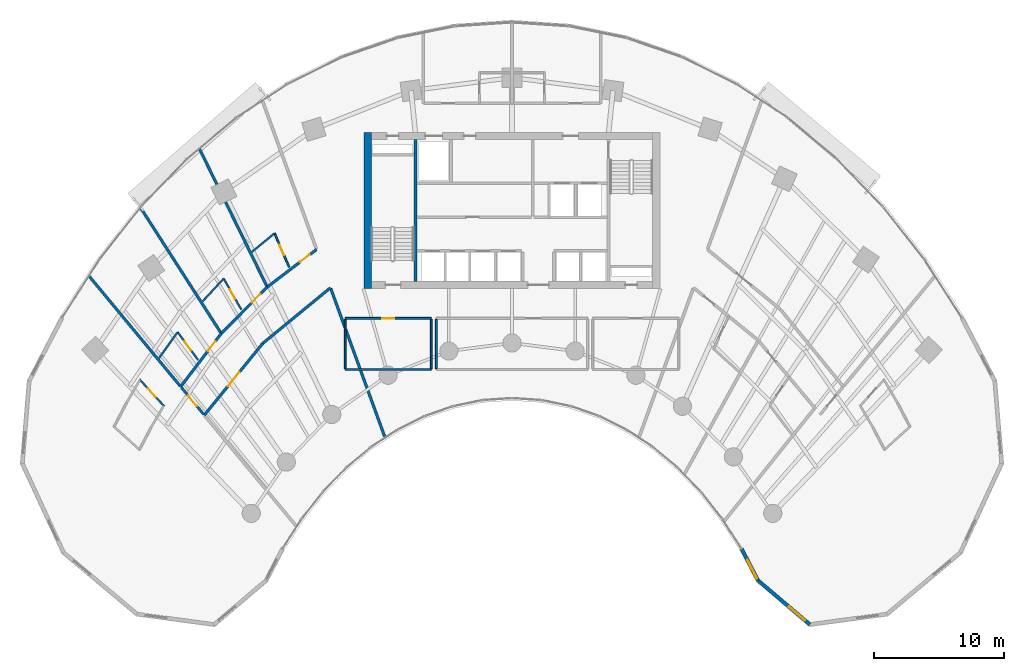
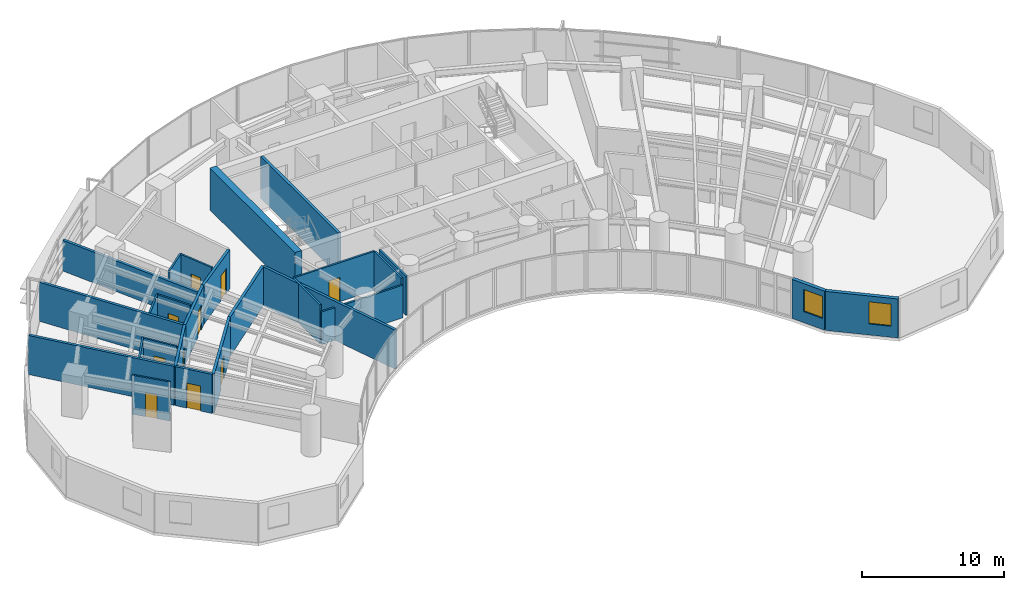
# One storey, part 11 of 17: 26 walls, 10 doors, 2 windows, 12 openings.
"""IFC4 building model written with IfcOpenShell, lengths in metres."""

from ifc_helpers import new_model, si_unit, direction, frame, frame_2d, origin, place, context, subcontext, project, spatial, rectangle, extrude, source, transform, mapped, material, layer, layer_set, type_object, type_shapes, element, fill, save


model = new_model("IFC4")

# Units and contexts
model_context = context("Model", 3, precision=1e-05, world=origin(), true_north=direction((0.0, 1.0)))
body_context = subcontext(model_context, "Body", "Model", "MODEL_VIEW")
ifc_project = project(units=[si_unit("LENGTHUNIT", "METRE"), si_unit("AREAUNIT", "SQUARE_METRE"), si_unit("VOLUMEUNIT", "CUBIC_METRE"), si_unit("PLANEANGLEUNIT", "RADIAN"), si_unit("MASSUNIT", "GRAM", prefix="KILO")], contexts=[model_context])

# Site, building, storey
site_placement = place(None, origin())
site = spatial("IfcSite", under=ifc_project, at=site_placement, CompositionType="ELEMENT")
building_placement = place(site_placement, origin())
building = spatial("IfcBuilding", under=site, at=building_placement, Name="Breltana Convention Tower", CompositionType="ELEMENT")
storey_placement = place(building_placement, frame((0.0, 0.0, 67.800048828125)))
storey = spatial("IfcBuildingStorey", under=building, at=storey_placement, Name="L15", CompositionType="ELEMENT", Elevation=67.800048828125)

# Walls
ifc_material_1 = material(Name="Concrete C60/75", Category="concrete")
ifc_layer_1 = layer(ifc_material_1, 0.550048828125, Name="Concrete C60/75")
ifc_layer_set_1 = layer_set([ifc_layer_1], Name="Concrete C60/75")
wall_type_1 = type_object("IfcWallType", Name="SW-CORE-550", PredefinedType="SHEAR", material=ifc_layer_set_1)
shared_shape_1 = source(origin(), body_context, "Body", "SweptSolid", [
    extrude(rectangle(XDim=12.0, YDim=0.550048828125, at=frame_2d((6.0, 0.0))), origin(), (0.0, 0.0, 1.0), 3.599853515625),
])
wall_1_placement = place(storey_placement, frame((36.925048828125, 60.199951171875, 0.0), z_axis=(0.0, 0.0, 1.0), x_axis=(0.0, 1.0, 0.0)))
element("IfcWall", 1, at=wall_1_placement, inside=storey, type_object=wall_type_1, Name="L15 West Core Shear Wall", PredefinedType="SHEAR", context=body_context, shape_type="MappedRepresentation", body=[
    mapped(shared_shape_1, transform((0.0, 0.0, 0.0), scale=1.0)),
])
ifc_material_2 = material(Name="Concrete C50/60", Category="concrete")
ifc_layer_2 = layer(ifc_material_2, 0.39990234375, Name="Concrete C50/60")
ifc_layer_set_2 = layer_set([ifc_layer_2], Name="Concrete C50/60")
wall_type_2 = type_object("IfcWallType", Name="SW-CORE-400", PredefinedType="SHEAR", material=ifc_layer_set_2)
shared_shape_2 = source(origin(), body_context, "Body", "SweptSolid", [
    extrude(rectangle(XDim=10.89990234375, YDim=0.219970703125, at=frame_2d((5.449951171875, 0.0))), origin(), (0.0, 0.0, 1.0), 3.599853515625),
])
wall_2_placement = place(storey_placement, frame((40.580078125, 60.75, 0.0), z_axis=(0.0, 0.0, 1.0), x_axis=(0.0, 1.0, 0.0)))
element("IfcWall", 2, at=wall_2_placement, inside=storey, type_object=wall_type_2, Name="L15 Core West Stair Spine Wall", PredefinedType="SHEAR", context=body_context, shape_type="MappedRepresentation", body=[
    mapped(shared_shape_2, transform((0.0, 0.0, 0.0), scale=1.0)),
])

# Wall, opening, window
ifc_material_3 = material(Name="Limestone Buff Insulated Wall", Category="masonry")
ifc_layer_3 = layer(ifc_material_3, 0.280029296875, Name="Limestone Buff Insulated Wall")
ifc_layer_set_3 = layer_set([ifc_layer_3], Name="Limestone Buff Insulated Wall")
wall_type_3 = type_object("IfcWallType", Name="WL-EXT-NOSE-280", PredefinedType="SOLIDWALL", material=ifc_layer_set_3)
shared_shape_3 = source(origin(), body_context, "Body", "SweptSolid", [
    extrude(rectangle(XDim=5.222412109375, YDim=0.280029296875, at=frame_2d((2.611328125, 0.0))), origin(), (0.0, 0.0, 1.0), 3.35986328125),
])
wall_3_placement = place(storey_placement, frame((70.8642578125, 34.4248046875, 0.0), z_axis=(0.0, 0.0, 1.0), x_axis=(-0.761900099546, 0.647694556339, 0.0)))
wall_3 = element("IfcWall", 3, at=wall_3_placement, inside=storey, type_object=wall_type_3, Name="L15 curved limestone nose wall E5", PredefinedType="SOLIDWALL", context=body_context, shape_type="MappedRepresentation", body=[
    mapped(shared_shape_3, transform((0.0, 0.0, 0.0), scale=1.0)),
])
opening_1_placement = place(wall_3_placement, frame((0.505615234375, 0.0, 0.949951171875)))
opening_1 = element("IfcOpeningElement", 4, at=opening_1_placement, cuts=wall_3, Name="Opening W-04", PredefinedType="OPENING", context=body_context, shape_type="SweptSolid", body=[
    extrude(rectangle(XDim=1.60009765625, YDim=1.89990234375, at=frame_2d((0.800048828125, 0.949951171875))), frame((0.0, 0.14990234375, 0.0), z_axis=(0.0, -1.0, 0.0), x_axis=(1.0, 0.0, 0.0)), (0.0, 0.0, 1.0), 0.300048828125),
])
ifc_material_4 = material(Name="Glass Low-E Insulated Window", Category="glass")
window_type = type_object("IfcWindowType", Name="WN-NOSE-1600X1900", PartitioningType="SINGLE_PANEL", PredefinedType="WINDOW", material=ifc_material_4)
shared_shape_4 = source(origin(), body_context, "Body", "SweptSolid", [
    extrude(rectangle(XDim=1.60009765625, YDim=1.89990234375, at=frame_2d((0.800048828125, 0.949951171875))), frame((0.0, 0.030029296875, 0.0), z_axis=(0.0, -1.0, 0.0), x_axis=(1.0, 0.0, 0.0)), (0.0, 0.0, 1.0), 0.06005859375),
])
type_shapes(window_type, [shared_shape_4])
window_1_placement = place(opening_1_placement, origin())
window_1 = element("IfcWindow", 5, at=window_1_placement, inside=storey, type_object=window_type, Name="L15 nose window E5", OverallHeight=1.89990234375, OverallWidth=1.60009765625, PartitioningType="SINGLE_PANEL", PredefinedType="WINDOW", context=body_context, shape_type="MappedRepresentation", body=[
    mapped(shared_shape_4, transform((0.0, 0.0, 0.0), scale=1.0)),
])
fill(opening_1, window_1)

shared_shape_5 = source(origin(), body_context, "Body", "SweptSolid", [
    extrude(rectangle(XDim=2.7353515625, YDim=0.280029296875, at=frame_2d((1.36767578125, 0.0))), origin(), (0.0, 0.0, 1.0), 3.35986328125),
])
wall_4_placement = place(storey_placement, frame((66.88525390625, 37.807373046875, 0.0), z_axis=(0.0, 0.0, 1.0), x_axis=(-0.46179107292, 0.886988728774, 0.0)))
wall_4 = element("IfcWall", 6, at=wall_4_placement, inside=storey, type_object=wall_type_3, Name="L15 curved limestone nose wall E6", PredefinedType="SOLIDWALL", context=body_context, shape_type="MappedRepresentation", body=[
    mapped(shared_shape_5, transform((0.0, 0.0, 0.0), scale=1.0)),
])
opening_2_placement = place(wall_4_placement, frame((0.159912109375, 0.0, 0.949951171875)))
opening_2 = element("IfcOpeningElement", 7, at=opening_2_placement, cuts=wall_4, Name="Opening W-04", PredefinedType="OPENING", context=body_context, shape_type="SweptSolid", body=[
    extrude(rectangle(XDim=1.60009765625, YDim=1.89990234375, at=frame_2d((0.800048828125, 0.949951171875))), frame((0.0, 0.14990234375, 0.0), z_axis=(0.0, -1.0, 0.0), x_axis=(1.0, 0.0, 0.0)), (0.0, 0.0, 1.0), 0.300048828125),
])
window_2_placement = place(opening_2_placement, origin())
window_2 = element("IfcWindow", 8, at=window_2_placement, inside=storey, type_object=window_type, Name="L15 nose window E6", OverallHeight=1.89990234375, OverallWidth=1.60009765625, PartitioningType="SINGLE_PANEL", PredefinedType="WINDOW", context=body_context, shape_type="MappedRepresentation", body=[
    mapped(shared_shape_4, transform((0.0, 0.0, 0.0), scale=1.0)),
])
fill(opening_2, window_2)

# Wall
ifc_material_5 = material(Name="Gypsum Acoustic Drywall Partition")
ifc_layer_4 = layer(ifc_material_5, 0.14990234375, Name="Gypsum Acoustic Drywall Partition")
ifc_layer_set_4 = layer_set([ifc_layer_4], Name="Gypsum Acoustic Drywall Partition")
wall_type_4 = type_object("IfcWallType", Name="WL-PART-150", PredefinedType="PARTITIONING", material=ifc_layer_set_4)
shared_shape_6 = source(origin(), body_context, "Body", "SweptSolid", [
    extrude(rectangle(XDim=6.60009765625, YDim=0.14990234375, at=frame_2d((3.300048828125, 0.0))), origin(), (0.0, 0.0, 1.0), 2.802978515625),
])
wall_5_placement = place(storey_placement, frame((35.199951171875, 54.0, 0.0), z_axis=(0.0, 0.0, 1.0), x_axis=(1.0, 0.0, 0.0)))
element("IfcWall", 9, at=wall_5_placement, inside=storey, type_object=wall_type_4, Name="L15 interior partition W-L15-HSK-S", PredefinedType="PARTITIONING", context=body_context, shape_type="MappedRepresentation", body=[
    mapped(shared_shape_6, transform((0.0, 0.0, 0.0), scale=1.0)),
])

# Wall, opening, door
shared_shape_7 = source(origin(), body_context, "Body", "SweptSolid", [
    extrude(rectangle(XDim=6.60009765625, YDim=0.14990234375, at=frame_2d((3.300048828125, 0.0))), origin(), (0.0, 0.0, 1.0), 3.35986328125),
])
wall_6_placement = place(storey_placement, frame((35.199951171875, 57.919921875, 0.0), z_axis=(0.0, 0.0, 1.0), x_axis=(1.0, 0.0, 0.0)))
wall_6 = element("IfcWall", 10, at=wall_6_placement, inside=storey, type_object=wall_type_4, Name="L15 interior partition W-L15-HSK-N", PredefinedType="PARTITIONING", context=body_context, shape_type="MappedRepresentation", body=[
    mapped(shared_shape_7, transform((0.0, 0.0, 0.0), scale=1.0)),
])
opening_3_placement = place(wall_6_placement, frame((2.85009765625, 0.0, 0.0)))
opening_3 = element("IfcOpeningElement", 11, at=opening_3_placement, cuts=wall_6, Name="Opening D-18", PredefinedType="OPENING", context=body_context, shape_type="SweptSolid", body=[
    extrude(rectangle(XDim=0.89990234375, YDim=2.10009765625, at=frame_2d((0.449951171875, 1.050048828125))), frame((0.0, 0.0849609375, 0.0), z_axis=(0.0, -1.0, 0.0), x_axis=(1.0, 0.0, 0.0)), (0.0, 0.0, 1.0), 0.169921875),
])
ifc_material_6 = material(Name="Steel Riser Fire Door", Category="steel")
door_type_1 = type_object("IfcDoorType", Name="DR-FD60-900", OperationType="NOTDEFINED", PredefinedType="DOOR", material=ifc_material_6)
shared_shape_8 = source(origin(), body_context, "Body", "SweptSolid", [
    extrude(rectangle(XDim=0.89990234375, YDim=2.10009765625, at=frame_2d((0.449951171875, 1.050048828125))), frame((0.0, 0.02490234375, 0.0), z_axis=(0.0, -1.0, 0.0), x_axis=(1.0, 0.0, 0.0)), (0.0, 0.0, 1.0), 0.050048828125),
])
type_shapes(door_type_1, [shared_shape_8])
door_1_placement = place(opening_3_placement, origin())
door_1 = element("IfcDoor", 12, at=door_1_placement, inside=storey, type_object=door_type_1, Name="L15 interior door D-L15-HSK", OperationType="SINGLE_SWING_LEFT", OverallHeight=2.10009765625, OverallWidth=0.89990234375, PredefinedType="DOOR", context=body_context, shape_type="MappedRepresentation", body=[
    mapped(shared_shape_8, transform((0.0, 0.0, 0.0), scale=1.0)),
])
fill(opening_3, door_1)

# Walls
shared_shape_9 = source(origin(), body_context, "Body", "SweptSolid", [
    extrude(rectangle(XDim=3.78515625, YDim=0.14990234375, at=frame_2d((1.892578125, 0.0))), origin(), (0.0, 0.0, 1.0), 3.35986328125),
])
for number, where, z_axis, x_axis, name in (
    (13, (35.199951171875, 54.0673828125, 0.0), (0.0, 0.0, 1.0), (0.0, 1.0, 0.0), "L15 interior partition W-L15-HSK-W"),
    (14, (41.800048828125, 54.0673828125, 0.0), (0.0, 0.0, 1.0), (0.0, 1.0, 0.0), "L15 interior partition W-L15-HSK-E"),
    (15, (42.199951171875, 54.0673828125, 0.0), (0.0, 0.0, 1.0), (0.0, 1.0, 0.0), "L15 interior partition W-L15-HLG-W"),
):
    element("IfcWall", number, at=place(storey_placement, frame(where, z_axis=z_axis, x_axis=x_axis)), inside=storey, type_object=wall_type_4, Name=name, PredefinedType="PARTITIONING", context=body_context, shape_type="MappedRepresentation", body=[
        mapped(shared_shape_9, transform((0.0, 0.0, 0.0), scale=1.0)),
    ])

# Wall, opening, door
ifc_material_7 = material(Name="Gypsum Acoustic Hotel Wall")
ifc_layer_5 = layer(ifc_material_7, 0.195068359375, Name="Gypsum Acoustic Hotel Wall")
ifc_layer_set_5 = layer_set([ifc_layer_5], Name="Gypsum Acoustic Hotel Wall")
wall_type_5 = type_object("IfcWallType", Name="WL-HOTEL-200", PredefinedType="PARTITIONING", material=ifc_layer_set_5)
shared_shape_10 = source(origin(), body_context, "Body", "SweptSolid", [
    extrude(rectangle(XDim=2.748291015625, YDim=0.195068359375, at=frame_2d((1.3740234375, 0.0))), origin(), (0.0, 0.0, 1.0), 3.35986328125),
])
wall_7_placement = place(storey_placement, frame((24.35302734375, 50.531005859375, 0.0), z_axis=(0.0, 0.0, 1.0), x_axis=(-0.638111168284, 0.769944242729, 0.0)))
wall_7 = element("IfcWall", 16, at=wall_7_placement, inside=storey, type_object=wall_type_5, Name="L15 interior partition W-L15-CS-W-END", PredefinedType="PARTITIONING", context=body_context, shape_type="MappedRepresentation", body=[
    mapped(shared_shape_10, transform((0.0, 0.0, 0.0), scale=1.0)),
])
opening_4_placement = place(wall_7_placement, frame((0.84912109375, 0.0, 0.0)))
opening_4 = element("IfcOpeningElement", 17, at=opening_4_placement, cuts=wall_7, Name="Opening D-13", PredefinedType="OPENING", context=body_context, shape_type="SweptSolid", body=[
    extrude(rectangle(XDim=1.050048828125, YDim=2.14990234375, at=frame_2d((0.52490234375, 1.074951171875))), frame((0.0, 0.107421875, 0.0), z_axis=(0.0, -1.0, 0.0), x_axis=(1.0, 0.0, 0.0)), (0.0, 0.0, 1.0), 0.215087890625),
])
ifc_material_8 = material(Name="Timber Solid-Core Fire Door", Category="wood")
door_type_2 = type_object("IfcDoorType", Name="DR-FD60-1050", OperationType="NOTDEFINED", PredefinedType="DOOR", material=ifc_material_8)
shared_shape_11 = source(origin(), body_context, "Body", "SweptSolid", [
    extrude(rectangle(XDim=1.050048828125, YDim=2.14990234375, at=frame_2d((0.52490234375, 1.074951171875))), frame((0.0, 0.02490234375, 0.0), z_axis=(0.0, -1.0, 0.0), x_axis=(1.0, 0.0, 0.0)), (0.0, 0.0, 1.0), 0.050048828125),
])
type_shapes(door_type_2, [shared_shape_11])
door_2_placement = place(opening_4_placement, origin())
door_2 = element("IfcDoor", 18, at=door_2_placement, inside=storey, type_object=door_type_2, Name="L15 interior door D-L15-CS-W", OperationType="SINGLE_SWING_RIGHT", OverallHeight=2.14990234375, OverallWidth=1.050048828125, PredefinedType="DOOR", context=body_context, shape_type="MappedRepresentation", body=[
    mapped(shared_shape_11, transform((0.0, 0.0, 0.0), scale=1.0)),
])
fill(opening_4, door_2)

ifc_material_9 = material(Name="Moisture-Resistant En-Suite Partition")
ifc_layer_6 = layer(ifc_material_9, 0.139892578125, Name="Moisture-Resistant En-Suite Partition")
ifc_layer_set_6 = layer_set([ifc_layer_6], Name="Moisture-Resistant En-Suite Partition")
wall_type_6 = type_object("IfcWallType", Name="WL-WET-150", PredefinedType="PARTITIONING", material=ifc_layer_set_6)
shared_shape_12 = source(origin(), body_context, "Body", "SweptSolid", [
    extrude(rectangle(XDim=2.812255859375, YDim=0.139892578125, at=frame_2d((1.40625, 0.0))), origin(), (0.0, 0.0, 1.0), 3.35986328125),
])
wall_8_placement = place(storey_placement, frame((21.30322265625, 51.176513671875, 0.0), z_axis=(0.0, 0.0, 1.0), x_axis=(-0.675119025852, 0.737708818527, 0.0)))
wall_8 = element("IfcWall", 19, at=wall_8_placement, inside=storey, type_object=wall_type_6, Name="L15 interior partition W-L15-CSENS-W-W", PredefinedType="PARTITIONING", context=body_context, shape_type="MappedRepresentation", body=[
    mapped(shared_shape_12, transform((0.0, 0.0, 0.0), scale=1.0)),
])
opening_5_placement = place(wall_8_placement, frame((0.981201171875, 0.0, 0.0)))
opening_5 = element("IfcOpeningElement", 20, at=opening_5_placement, cuts=wall_8, Name="Opening D-21", PredefinedType="OPENING", context=body_context, shape_type="SweptSolid", body=[
    extrude(rectangle(XDim=0.85009765625, YDim=2.050048828125, at=frame_2d((0.425048828125, 1.02490234375))), frame((0.0, 0.080078125, 0.0), z_axis=(0.0, -1.0, 0.0), x_axis=(1.0, 0.0, 0.0)), (0.0, 0.0, 1.0), 0.159912109375),
])
ifc_material_10 = material(Name="Timber Moisture-Resistant En-Suite Door", Category="wood")
door_type_3 = type_object("IfcDoorType", Name="DR-WET-850", OperationType="NOTDEFINED", PredefinedType="DOOR", material=ifc_material_10)
shared_shape_13 = source(origin(), body_context, "Body", "SweptSolid", [
    extrude(rectangle(XDim=0.85009765625, YDim=2.050048828125, at=frame_2d((0.425048828125, 1.02490234375))), frame((0.0, 0.02490234375, 0.0), z_axis=(0.0, -1.0, 0.0), x_axis=(1.0, 0.0, 0.0)), (0.0, 0.0, 1.0), 0.050048828125),
])
type_shapes(door_type_3, [shared_shape_13])
door_3_placement = place(opening_5_placement, origin())
door_3 = element("IfcDoor", 21, at=door_3_placement, inside=storey, type_object=door_type_3, Name="L15 interior door D-L15-CSENS-W", OperationType="SINGLE_SWING_LEFT", OverallHeight=2.050048828125, OverallWidth=0.85009765625, PredefinedType="DOOR", context=body_context, shape_type="MappedRepresentation", body=[
    mapped(shared_shape_13, transform((0.0, 0.0, 0.0), scale=1.0)),
])
fill(opening_5, door_3)

# Wall
shared_shape_14 = source(origin(), body_context, "Body", "SweptSolid", [
    extrude(rectangle(XDim=2.260498046875, YDim=0.139892578125, at=frame_2d((1.13037109375, 0.0))), origin(), (0.0, 0.0, 1.0), 3.35986328125),
])
wall_9_placement = place(storey_placement, frame((28.029296875, 63.01953125, 0.0), z_axis=(0.0, 0.0, 1.0), x_axis=(0.772646789219, 0.634836151388, 0.0)))
element("IfcWall", 22, at=wall_9_placement, inside=storey, type_object=wall_type_6, Name="L15 interior partition W-L15-ST03E-BK", PredefinedType="PARTITIONING", context=body_context, shape_type="MappedRepresentation", body=[
    mapped(shared_shape_14, transform((0.0, 0.0, 0.0), scale=1.0)),
])

# Wall, opening, door
shared_shape_15 = source(origin(), body_context, "Body", "SweptSolid", [
    extrude(rectangle(XDim=2.81884765625, YDim=0.139892578125, at=frame_2d((1.409423828125, 0.0))), origin(), (0.0, 0.0, 1.0), 3.35986328125),
])
wall_10_placement = place(storey_placement, frame((30.8876953125, 61.8642578125, 0.0), z_axis=(0.0, 0.0, 1.0), x_axis=(-0.394420979357, 0.918929861874, 0.0)))
wall_10 = element("IfcWall", 23, at=wall_10_placement, inside=storey, type_object=wall_type_6, Name="L15 interior partition W-L15-ST03E-SD", PredefinedType="PARTITIONING", context=body_context, shape_type="MappedRepresentation", body=[
    mapped(shared_shape_15, transform((0.0, 0.0, 0.0), scale=1.0)),
])
opening_6_placement = place(wall_10_placement, frame((0.984375, 0.0, 0.0)))
opening_6 = element("IfcOpeningElement", 24, at=opening_6_placement, cuts=wall_10, Name="Opening D-21", PredefinedType="OPENING", context=body_context, shape_type="SweptSolid", body=[
    extrude(rectangle(XDim=0.85009765625, YDim=2.050048828125, at=frame_2d((0.425048828125, 1.02490234375))), frame((0.0, 0.080078125, 0.0), z_axis=(0.0, -1.0, 0.0), x_axis=(1.0, 0.0, 0.0)), (0.0, 0.0, 1.0), 0.159912109375),
])
door_4_placement = place(opening_6_placement, origin())
door_4 = element("IfcDoor", 25, at=door_4_placement, inside=storey, type_object=door_type_3, Name="L15 interior door D-L15-ST03E", OperationType="SINGLE_SWING_LEFT", OverallHeight=2.050048828125, OverallWidth=0.85009765625, PredefinedType="DOOR", context=body_context, shape_type="MappedRepresentation", body=[
    mapped(shared_shape_13, transform((0.0, 0.0, 0.0), scale=1.0)),
])
fill(opening_6, door_4)

# Wall
shared_shape_16 = source(origin(), body_context, "Body", "SweptSolid", [
    extrude(rectangle(XDim=2.38037109375, YDim=0.139892578125, at=frame_2d((1.190185546875, 0.0))), origin(), (0.0, 0.0, 1.0), 3.35986328125),
])
wall_11_placement = place(storey_placement, frame((24.2529296875, 59.231201171875, 0.0), z_axis=(0.0, 0.0, 1.0), x_axis=(0.679084816758, 0.734059814762, 0.0)))
element("IfcWall", 26, at=wall_11_placement, inside=storey, type_object=wall_type_6, Name="L15 interior partition W-L15-ST02E-BK", PredefinedType="PARTITIONING", context=body_context, shape_type="MappedRepresentation", body=[
    mapped(shared_shape_16, transform((0.0, 0.0, 0.0), scale=1.0)),
])

# Wall, opening, door
shared_shape_17 = source(origin(), body_context, "Body", "SweptSolid", [
    extrude(rectangle(XDim=2.734619140625, YDim=0.139892578125, at=frame_2d((1.3671875, 0.0))), origin(), (0.0, 0.0, 1.0), 3.35986328125),
])
wall_12_placement = place(storey_placement, frame((27.219482421875, 58.600341796875, 0.0), z_axis=(0.0, 0.0, 1.0), x_axis=(-0.493694940578, 0.869635156631, 0.0)))
wall_12 = element("IfcWall", 27, at=wall_12_placement, inside=storey, type_object=wall_type_6, Name="L15 interior partition W-L15-ST02E-SD", PredefinedType="PARTITIONING", context=body_context, shape_type="MappedRepresentation", body=[
    mapped(shared_shape_17, transform((0.0, 0.0, 0.0), scale=1.0)),
])
opening_7_placement = place(wall_12_placement, frame((0.9423828125, 0.0, 0.0)))
opening_7 = element("IfcOpeningElement", 28, at=opening_7_placement, cuts=wall_12, Name="Opening D-21", PredefinedType="OPENING", context=body_context, shape_type="SweptSolid", body=[
    extrude(rectangle(XDim=0.85009765625, YDim=2.050048828125, at=frame_2d((0.425048828125, 1.02490234375))), frame((0.0, 0.080078125, 0.0), z_axis=(0.0, -1.0, 0.0), x_axis=(1.0, 0.0, 0.0)), (0.0, 0.0, 1.0), 0.159912109375),
])
door_5_placement = place(opening_7_placement, origin())
door_5 = element("IfcDoor", 29, at=door_5_placement, inside=storey, type_object=door_type_3, Name="L15 interior door D-L15-ST02E", OperationType="SINGLE_SWING_LEFT", OverallHeight=2.050048828125, OverallWidth=0.85009765625, PredefinedType="DOOR", context=body_context, shape_type="MappedRepresentation", body=[
    mapped(shared_shape_13, transform((0.0, 0.0, 0.0), scale=1.0)),
])
fill(opening_7, door_5)

# Wall
shared_shape_18 = source(origin(), body_context, "Body", "SweptSolid", [
    extrude(rectangle(XDim=2.436767578125, YDim=0.139892578125, at=frame_2d((1.21826171875, 0.0))), origin(), (0.0, 0.0, 1.0), 3.35986328125),
])
wall_13_placement = place(storey_placement, frame((20.9150390625, 54.88623046875, 0.0), z_axis=(0.0, 0.0, 1.0), x_axis=(0.581797219134, 0.813333877204, 0.0)))
element("IfcWall", 30, at=wall_13_placement, inside=storey, type_object=wall_type_6, Name="L15 interior partition W-L15-ST01E-BK", PredefinedType="PARTITIONING", context=body_context, shape_type="MappedRepresentation", body=[
    mapped(shared_shape_18, transform((0.0, 0.0, 0.0), scale=1.0)),
])

# Wall, opening, door
shared_shape_19 = source(origin(), body_context, "Body", "SweptSolid", [
    extrude(rectangle(XDim=2.6416015625, YDim=0.139892578125, at=frame_2d((1.32080078125, 0.0))), origin(), (0.0, 0.0, 1.0), 3.35986328125),
])
wall_14_placement = place(storey_placement, frame((23.898681640625, 54.74072265625, 0.0), z_axis=(0.0, 0.0, 1.0), x_axis=(-0.592789122423, 0.805357719487, 0.0)))
wall_14 = element("IfcWall", 31, at=wall_14_placement, inside=storey, type_object=wall_type_6, Name="L15 interior partition W-L15-ST01E-SD", PredefinedType="PARTITIONING", context=body_context, shape_type="MappedRepresentation", body=[
    mapped(shared_shape_19, transform((0.0, 0.0, 0.0), scale=1.0)),
])
opening_8_placement = place(wall_14_placement, frame((0.895751953125, 0.0, 0.0)))
opening_8 = element("IfcOpeningElement", 32, at=opening_8_placement, cuts=wall_14, Name="Opening D-21", PredefinedType="OPENING", context=body_context, shape_type="SweptSolid", body=[
    extrude(rectangle(XDim=0.85009765625, YDim=2.050048828125, at=frame_2d((0.425048828125, 1.02490234375))), frame((0.0, 0.080078125, 0.0), z_axis=(0.0, -1.0, 0.0), x_axis=(1.0, 0.0, 0.0)), (0.0, 0.0, 1.0), 0.159912109375),
])
door_6_placement = place(opening_8_placement, origin())
door_6 = element("IfcDoor", 33, at=door_6_placement, inside=storey, type_object=door_type_3, Name="L15 interior door D-L15-ST01E", OperationType="SINGLE_SWING_LEFT", OverallHeight=2.050048828125, OverallWidth=0.85009765625, PredefinedType="DOOR", context=body_context, shape_type="MappedRepresentation", body=[
    mapped(shared_shape_13, transform((0.0, 0.0, 0.0), scale=1.0)),
])
fill(opening_8, door_6)

ifc_material_11 = material(Name="Autoclaved Aerated Masonry Blockwork", Category="masonry")
ifc_layer_7 = layer(ifc_material_11, 0.2099609375, Name="Autoclaved Aerated Masonry Blockwork")
ifc_layer_set_7 = layer_set([ifc_layer_7], Name="Autoclaved Aerated Masonry Blockwork")
wall_type_7 = type_object("IfcWallType", Name="WL-PART-200", PredefinedType="PARTITIONING", material=ifc_layer_set_7)
shared_shape_20 = source(origin(), body_context, "Body", "SweptSolid", [
    extrude(rectangle(XDim=7.112548828125, YDim=0.2099609375, at=frame_2d((3.55615234375, 0.0))), origin(), (0.0, 0.0, 1.0), 3.35986328125),
])
wall_15_placement = place(storey_placement, frame((24.3828125, 50.4951171875, 0.0), z_axis=(0.0, 0.0, 1.0), x_axis=(0.63149032532, 0.775383755974, 0.0)))
wall_15 = element("IfcWall", 34, at=wall_15_placement, inside=storey, type_object=wall_type_7, Name="L15 interior partition W-L15-H3IW-COR1", PredefinedType="PARTITIONING", context=body_context, shape_type="MappedRepresentation", body=[
    mapped(shared_shape_20, transform((0.0, 0.0, 0.0), scale=1.0)),
])
opening_9_placement = place(wall_15_placement, frame((2.856201171875, 0.0, 0.0)))
opening_9 = element("IfcOpeningElement", 35, at=opening_9_placement, cuts=wall_15, Name="Opening D-05", PredefinedType="OPENING", context=body_context, shape_type="SweptSolid", body=[
    extrude(rectangle(XDim=1.39990234375, YDim=2.14990234375, at=frame_2d((0.699951171875, 1.074951171875))), frame((0.0, 0.114990234375, 0.0), z_axis=(0.0, -1.0, 0.0), x_axis=(1.0, 0.0, 0.0)), (0.0, 0.0, 1.0), 0.22998046875),
])
ifc_material_12 = material(Name="Timber Veneer Glazed Double Door", Category="wood")
door_type_4 = type_object("IfcDoorType", Name="DR-DBL-1400", OperationType="DOUBLE_DOOR_SINGLE_SWING", PredefinedType="DOOR", material=ifc_material_12)
shared_shape_21 = source(origin(), body_context, "Body", "SweptSolid", [
    extrude(rectangle(XDim=1.39990234375, YDim=2.14990234375, at=frame_2d((0.699951171875, 1.074951171875))), frame((0.0, 0.02490234375, 0.0), z_axis=(0.0, -1.0, 0.0), x_axis=(1.0, 0.0, 0.0)), (0.0, 0.0, 1.0), 0.050048828125),
])
type_shapes(door_type_4, [shared_shape_21])
door_7_placement = place(opening_9_placement, origin())
door_7 = element("IfcDoor", 36, at=door_7_placement, inside=storey, type_object=door_type_4, Name="L15 interior door D-L15-H3IW", OperationType="SINGLE_SWING_RIGHT", OverallHeight=2.14990234375, OverallWidth=1.39990234375, PredefinedType="DOOR", context=body_context, shape_type="MappedRepresentation", body=[
    mapped(shared_shape_21, transform((0.0, 0.0, 0.0), scale=1.0)),
])
fill(opening_9, door_7)

# Walls
shared_shape_22 = source(origin(), body_context, "Body", "SweptSolid", [
    extrude(rectangle(XDim=6.72119140625, YDim=0.2099609375, at=frame_2d((3.360595703125, 0.0))), origin(), (0.0, 0.0, 1.0), 3.35986328125),
])
wall_16_placement = place(storey_placement, frame((28.874267578125, 56.010009765625, 0.0), z_axis=(0.0, 0.0, 1.0), x_axis=(0.772828051199, 0.63461547671, 0.0)))
element("IfcWall", 37, at=wall_16_placement, inside=storey, type_object=wall_type_7, Name="L15 interior partition W-L15-H3IW-COR2", PredefinedType="PARTITIONING", context=body_context, shape_type="MappedRepresentation", body=[
    mapped(shared_shape_22, transform((0.0, 0.0, 0.0), scale=1.0)),
])
shared_shape_23 = source(origin(), body_context, "Body", "SweptSolid", [
    extrude(rectangle(XDim=12.1962890625, YDim=0.2099609375, at=frame_2d((6.09814453125, 0.0))), origin(), (0.0, 0.0, 1.0), 3.35986328125),
])
wall_17_placement = place(storey_placement, frame((38.257568359375, 48.766357421875, 0.0), z_axis=(0.0, 0.0, 1.0), x_axis=(-0.342022711534, 0.939691686031, 0.0)))
element("IfcWall", 38, at=wall_17_placement, inside=storey, type_object=wall_type_7, Name="L15 interior partition W-L15-H3IW-RB", PredefinedType="PARTITIONING", context=body_context, shape_type="MappedRepresentation", body=[
    mapped(shared_shape_23, transform((0.0, 0.0, 0.0), scale=1.0)),
])
shared_shape_24 = source(origin(), body_context, "Body", "SweptSolid", [
    extrude(rectangle(XDim=10.974609375, YDim=0.2099609375, at=frame_2d((5.4873046875, 0.0))), origin(), (0.0, 0.0, 1.0), 3.35986328125),
])
wall_18_placement = place(storey_placement, frame((22.539794921875, 52.71875, 0.0), z_axis=(0.0, 0.0, 1.0), x_axis=(-0.638125265812, 0.769932558821, 0.0)))
element("IfcWall", 39, at=wall_18_placement, inside=storey, type_object=wall_type_7, Name="L15 interior partition W-L15-ST01-RA", PredefinedType="PARTITIONING", context=body_context, shape_type="MappedRepresentation", body=[
    mapped(shared_shape_24, transform((0.0, 0.0, 0.0), scale=1.0)),
])

# Wall, opening, door
shared_shape_25 = source(origin(), body_context, "Body", "SweptSolid", [
    extrude(rectangle(XDim=5.134765625, YDim=0.2099609375, at=frame_2d((2.5673828125, 0.0))), origin(), (0.0, 0.0, 1.0), 3.35986328125),
])
wall_19_placement = place(storey_placement, frame((22.569580078125, 52.682861328125, 0.0), z_axis=(0.0, 0.0, 1.0), x_axis=(0.606802199649, 0.794852873494, 0.0)))
wall_19 = element("IfcWall", 40, at=wall_19_placement, inside=storey, type_object=wall_type_7, Name="L15 interior partition W-L15-ST01-COR", PredefinedType="PARTITIONING", context=body_context, shape_type="MappedRepresentation", body=[
    mapped(shared_shape_25, transform((0.0, 0.0, 0.0), scale=1.0)),
])
opening_10_placement = place(wall_19_placement, frame((3.42724609375, 0.0, 0.0)))
opening_10 = element("IfcOpeningElement", 41, at=opening_10_placement, cuts=wall_19, Name="Opening D-14", PredefinedType="OPENING", context=body_context, shape_type="SweptSolid", body=[
    extrude(rectangle(XDim=0.949951171875, YDim=2.14990234375, at=frame_2d((0.47509765625, 1.074951171875))), frame((0.0, 0.114990234375, 0.0), z_axis=(0.0, -1.0, 0.0), x_axis=(1.0, 0.0, 0.0)), (0.0, 0.0, 1.0), 0.22998046875),
])
door_type_5 = type_object("IfcDoorType", Name="DR-FD60-950", OperationType="NOTDEFINED", PredefinedType="DOOR", material=ifc_material_8)
shared_shape_26 = source(origin(), body_context, "Body", "SweptSolid", [
    extrude(rectangle(XDim=0.949951171875, YDim=2.14990234375, at=frame_2d((0.47509765625, 1.074951171875))), frame((0.0, 0.02490234375, 0.0), z_axis=(0.0, -1.0, 0.0), x_axis=(1.0, 0.0, 0.0)), (0.0, 0.0, 1.0), 0.050048828125),
])
type_shapes(door_type_5, [shared_shape_26])
door_8_placement = place(opening_10_placement, origin())
door_8 = element("IfcDoor", 42, at=door_8_placement, inside=storey, type_object=door_type_5, Name="L15 interior door D-L15-ST01", OperationType="SINGLE_SWING_RIGHT", OverallHeight=2.14990234375, OverallWidth=0.949951171875, PredefinedType="DOOR", context=body_context, shape_type="MappedRepresentation", body=[
    mapped(shared_shape_26, transform((0.0, 0.0, 0.0), scale=1.0)),
])
fill(opening_10, door_8)

# Wall
shared_shape_27 = source(origin(), body_context, "Body", "SweptSolid", [
    extrude(rectangle(XDim=11.431640625, YDim=0.2099609375, at=frame_2d((5.7158203125, 0.0))), origin(), (0.0, 0.0, 1.0), 3.35986328125),
])
wall_20_placement = place(storey_placement, frame((25.6591796875, 56.8046875, 0.0), z_axis=(0.0, 0.0, 1.0), x_axis=(-0.540196183124, 0.841539115988, 0.0)))
element("IfcWall", 43, at=wall_20_placement, inside=storey, type_object=wall_type_7, Name="L15 interior partition W-L15-ST01-RB", PredefinedType="PARTITIONING", context=body_context, shape_type="MappedRepresentation", body=[
    mapped(shared_shape_27, transform((0.0, 0.0, 0.0), scale=1.0)),
])

# Wall, opening, door
shared_shape_28 = source(origin(), body_context, "Body", "SweptSolid", [
    extrude(rectangle(XDim=5.012451171875, YDim=0.2099609375, at=frame_2d((2.50634765625, 0.0))), origin(), (0.0, 0.0, 1.0), 3.35986328125),
])
wall_21_placement = place(storey_placement, frame((25.685302734375, 56.76416015625, 0.0), z_axis=(0.0, 0.0, 1.0), x_axis=(0.703664626435, 0.710532260707, 0.0)))
wall_21 = element("IfcWall", 44, at=wall_21_placement, inside=storey, type_object=wall_type_7, Name="L15 interior partition W-L15-ST02-COR", PredefinedType="PARTITIONING", context=body_context, shape_type="MappedRepresentation", body=[
    mapped(shared_shape_28, transform((0.0, 0.0, 0.0), scale=1.0)),
])
opening_11_placement = place(wall_21_placement, frame((3.334716796875, 0.0, 0.0)))
opening_11 = element("IfcOpeningElement", 45, at=opening_11_placement, cuts=wall_21, Name="Opening D-14", PredefinedType="OPENING", context=body_context, shape_type="SweptSolid", body=[
    extrude(rectangle(XDim=0.949951171875, YDim=2.14990234375, at=frame_2d((0.47509765625, 1.074951171875))), frame((0.0, 0.114990234375, 0.0), z_axis=(0.0, -1.0, 0.0), x_axis=(1.0, 0.0, 0.0)), (0.0, 0.0, 1.0), 0.22998046875),
])
door_9_placement = place(opening_11_placement, origin())
door_9 = element("IfcDoor", 46, at=door_9_placement, inside=storey, type_object=door_type_5, Name="L15 interior door D-L15-ST02", OperationType="SINGLE_SWING_RIGHT", OverallHeight=2.14990234375, OverallWidth=0.949951171875, PredefinedType="DOOR", context=body_context, shape_type="MappedRepresentation", body=[
    mapped(shared_shape_26, transform((0.0, 0.0, 0.0), scale=1.0)),
])
fill(opening_11, door_9)

# Wall
shared_shape_29 = source(origin(), body_context, "Body", "SweptSolid", [
    extrude(rectangle(XDim=11.774658203125, YDim=0.2099609375, at=frame_2d((5.88720703125, 0.0))), origin(), (0.0, 0.0, 1.0), 2.64404296875),
])
wall_22_placement = place(storey_placement, frame((29.1904296875, 60.37060546875, 0.0), z_axis=(0.0, 0.0, 1.0), x_axis=(-0.4401500056, 0.897924257702, 0.0)))
element("IfcWall", 47, at=wall_22_placement, inside=storey, type_object=wall_type_7, Name="L15 interior partition W-L15-ST02-RB", PredefinedType="PARTITIONING", context=body_context, shape_type="MappedRepresentation", body=[
    mapped(shared_shape_29, transform((0.0, 0.0, 0.0), scale=1.0)),
])

# Wall, opening, door
shared_shape_30 = source(origin(), body_context, "Body", "SweptSolid", [
    extrude(rectangle(XDim=4.76220703125, YDim=0.2099609375, at=frame_2d((2.381103515625, 0.0))), origin(), (0.0, 0.0, 1.0), 3.35986328125),
])
wall_23_placement = place(storey_placement, frame((29.21240234375, 60.32568359375, 0.0), z_axis=(0.0, 0.0, 1.0), x_axis=(0.795070295872, 0.60651729128, 0.0)))
wall_23 = element("IfcWall", 48, at=wall_23_placement, inside=storey, type_object=wall_type_7, Name="L15 interior partition W-L15-ST03-COR", PredefinedType="PARTITIONING", context=body_context, shape_type="MappedRepresentation", body=[
    mapped(shared_shape_30, transform((0.0, 0.0, 0.0), scale=1.0)),
])
opening_12_placement = place(wall_23_placement, frame((3.144287109375, 0.0, 0.0)))
opening_12 = element("IfcOpeningElement", 49, at=opening_12_placement, cuts=wall_23, Name="Opening D-14", PredefinedType="OPENING", context=body_context, shape_type="SweptSolid", body=[
    extrude(rectangle(XDim=0.949951171875, YDim=2.14990234375, at=frame_2d((0.47509765625, 1.074951171875))), frame((0.0, 0.114990234375, 0.0), z_axis=(0.0, -1.0, 0.0), x_axis=(1.0, 0.0, 0.0)), (0.0, 0.0, 1.0), 0.22998046875),
])
door_10_placement = place(opening_12_placement, origin())
door_10 = element("IfcDoor", 50, at=door_10_placement, inside=storey, type_object=door_type_5, Name="L15 interior door D-L15-ST03", OperationType="SINGLE_SWING_RIGHT", OverallHeight=2.14990234375, OverallWidth=0.949951171875, PredefinedType="DOOR", context=body_context, shape_type="MappedRepresentation", body=[
    mapped(shared_shape_26, transform((0.0, 0.0, 0.0), scale=1.0)),
])
fill(opening_12, door_10)

save(model, "model.ifc")
